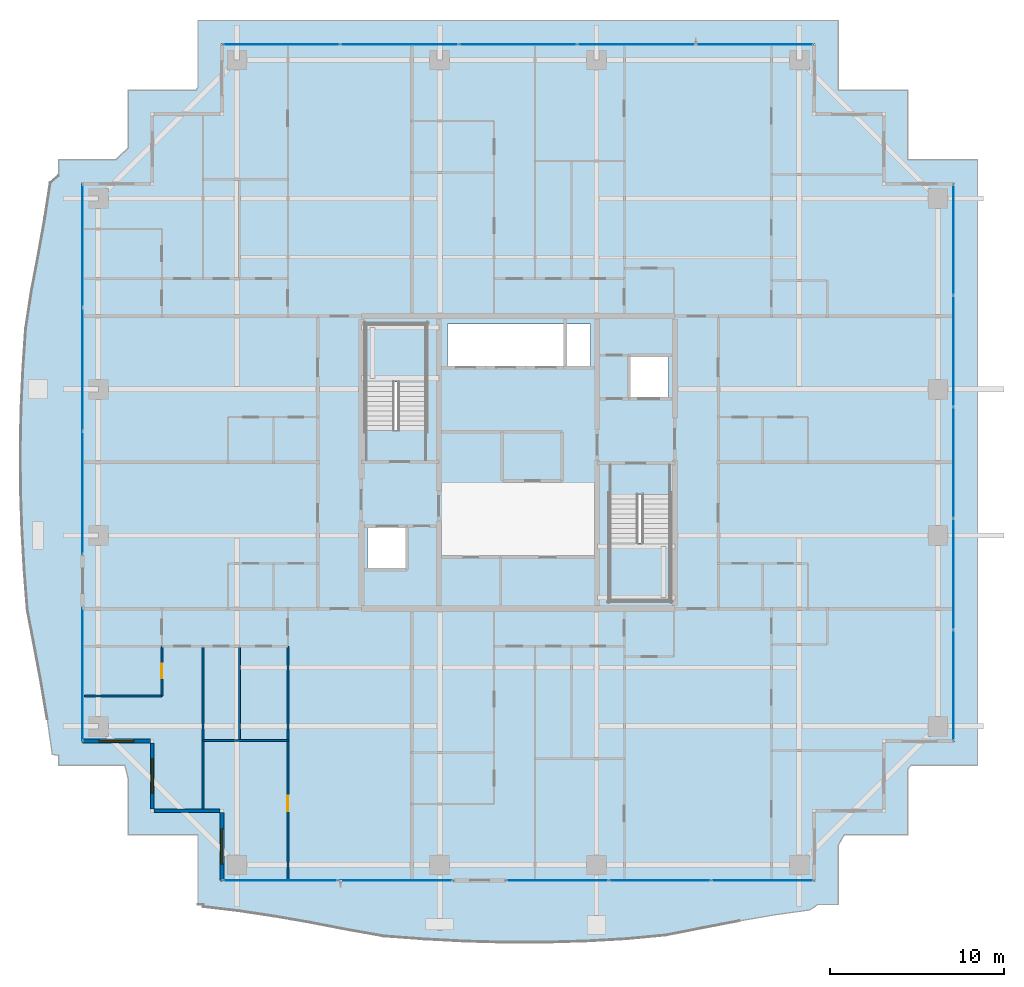
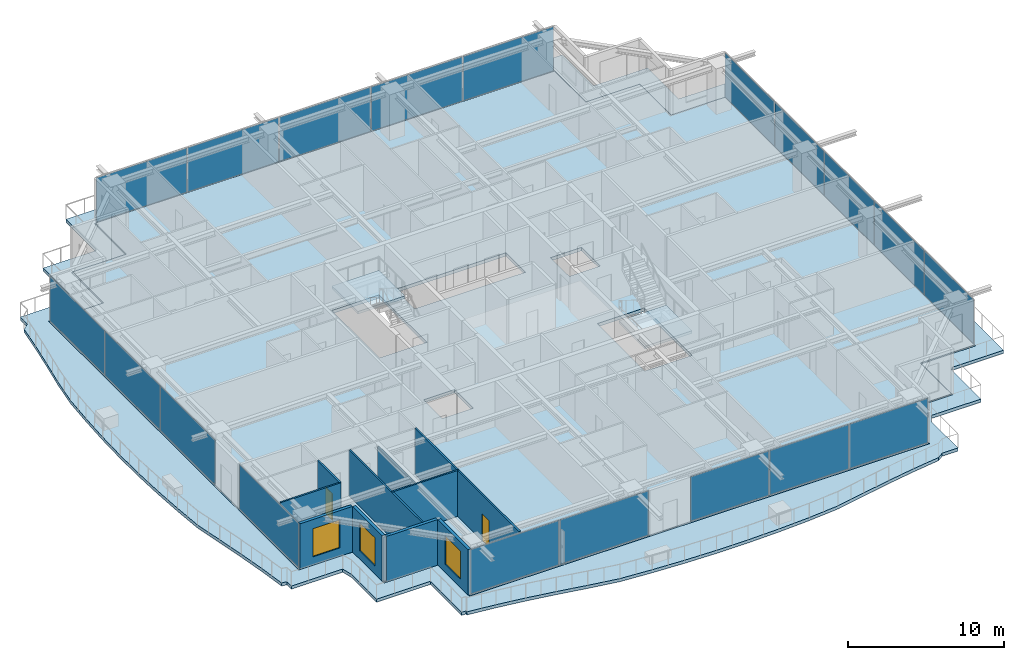
# One storey, part 23 of 38: 19 plates, 11 walls, 4 slabs, 3 windows, 2 doors, 5 openings, 8 elements without a shape of their own.
"""IFC4 building model written with IfcOpenShell, lengths in metres."""

import ifcopenshell
import ifcopenshell.guid

model = None  # the IFC model being written
_history = None  # IfcOwnerHistory: only IFC2X3 demands one
_inside = {}  # id of a spatial element -> (the spatial element, [elements in it])
_under = {}  # id of a project, library or spatial element -> (it, [spatial elements below it])
_declared = {}  # id of a project -> (the project, [libraries it declares])
_typed = {}  # id of a type object -> (the type object, [elements of that type])
_made_of = {}  # id of a material, layer set ... -> (it, [elements and type objects made of it])


def new_model(schema):
    """Start an empty IFC model of exactly this schema.

    Asked for "IFC4X3", IfcOpenShell would pick the latest addendum, in which some entities
    have other attributes; the version numbers below select the first issue.
    IFC2X3 requires an IfcOwnerHistory on every rooted entity: one is made here for all.
    """
    global model, _history
    if schema == "IFC4X3":
        model = ifcopenshell.file(schema_version=(4, 3, 0, 0))
    else:
        model = ifcopenshell.file(schema=schema)
    _inside.clear()
    _under.clear()
    _declared.clear()
    _typed.clear()
    _made_of.clear()
    _history = None
    if model.schema == "IFC2X3":
        org = make("IfcOrganization", Name="unknown")
        user = make(
            "IfcPersonAndOrganization",
            ThePerson=make("IfcPerson", FamilyName="unknown"),
            TheOrganization=org,
        )
        app = make(
            "IfcApplication",
            ApplicationDeveloper=org,
            Version="unknown",
            ApplicationFullName="unknown",
            ApplicationIdentifier="unknown",
        )
        _history = make(
            "IfcOwnerHistory",
            OwningUser=user,
            OwningApplication=app,
            ChangeAction="ADDED",
            CreationDate=0,
        )
    return model


def make(cls, **values):
    """One entity of the class cls with the attributes given. An attribute that is None is left unset."""
    return model.create_entity(
        cls, **{name: value for name, value in values.items() if value is not None}
    )


def rooted(cls, **values):
    """An entity with a GlobalId (a new one), such as an element, a storey or a relation."""
    return make(cls, GlobalId=ifcopenshell.guid.new(), OwnerHistory=_history, **values)


def si_unit(unit_type, name, prefix=None):
    """IfcSIUnit, for example si_unit("LENGTHUNIT", "METRE", prefix="MILLI")."""
    return make("IfcSIUnit", UnitType=unit_type, Prefix=prefix, Name=name)


def assignment(units):
    """IfcUnitAssignment: the units of a project."""
    return None if units is None else make("IfcUnitAssignment", Units=units)


def point(xyz):
    """IfcCartesianPoint."""
    return None if xyz is None else make("IfcCartesianPoint", Coordinates=xyz)


def direction(xyz):
    """IfcDirection."""
    return None if xyz is None else make("IfcDirection", DirectionRatios=xyz)


def frame(location, z_axis=None, x_axis=None):
    """IfcAxis2Placement3D, a coordinate frame: its origin and axes. An axis left out is left unset."""
    return make(
        "IfcAxis2Placement3D",
        Location=point(location),
        Axis=direction(z_axis),
        RefDirection=direction(x_axis),
    )


def frame_2d(location, x_axis=None):
    """IfcAxis2Placement2D, a coordinate frame in the plane: its origin and x axis."""
    return make(
        "IfcAxis2Placement2D", Location=point(location), RefDirection=direction(x_axis)
    )


def origin():
    """The frame at (0, 0, 0) with its axes left unset."""
    return frame((0.0, 0.0, 0.0))


def origin_2d():
    """The frame at (0, 0) in the plane with its x axis left unset."""
    return frame_2d((0.0, 0.0))


def place(relative_to, where):
    """IfcLocalPlacement: puts the frame where relative to a parent placement (None: the world)."""
    return make(
        "IfcLocalPlacement", PlacementRelTo=relative_to, RelativePlacement=where
    )


def context(
    kind, dimensions, precision=None, world=None, true_north=None, identifier=None
):
    """IfcGeometricRepresentationContext, for example the 3D "Model" context."""
    return make(
        "IfcGeometricRepresentationContext",
        ContextIdentifier=identifier,
        ContextType=kind,
        CoordinateSpaceDimension=dimensions,
        Precision=precision,
        WorldCoordinateSystem=world,
        TrueNorth=true_north,
    )


def subcontext(parent, identifier, kind, view, scale=None):
    """IfcGeometricRepresentationSubContext, for example "Body" below "Model"."""
    return make(
        "IfcGeometricRepresentationSubContext",
        ContextIdentifier=identifier,
        ContextType=kind,
        ParentContext=parent,
        TargetScale=scale,
        TargetView=view,
    )


def project(units=None, contexts=None):
    """IfcProject with its units and contexts."""
    return rooted(
        "IfcProject",
        Name="project",
        RepresentationContexts=contexts,
        UnitsInContext=assignment(units),
    )


def spatial(cls, under=None, at=None, **own):
    """A site, building, storey or space (cls), placed at a placement, below another one or the project."""
    s = rooted(cls, ObjectPlacement=at, **own)
    if under is not None:
        _under.setdefault(under.id(), (under, []))[1].append(s)
    return s


def polyline(points):
    """IfcPolyline through the points."""
    return make("IfcPolyline", Points=[point(p) for p in points])


def profile(cls, at=None, kind="AREA", **sizes):
    """A parametric profile (cls). Its sizes go by their IFC names, for example OverallWidth=200.0."""
    return make(cls, ProfileType=kind, Position=at, **sizes)


def rectangle(**sizes):
    """IfcRectangleProfileDef."""
    return profile("IfcRectangleProfileDef", **sizes)


def outline(outer, holes=None, kind="AREA"):
    """IfcArbitraryClosedProfileDef: a profile drawn as a closed curve; with holes, ...WithVoids."""
    if holes is None:
        return make("IfcArbitraryClosedProfileDef", ProfileType=kind, OuterCurve=outer)
    return make(
        "IfcArbitraryProfileDefWithVoids",
        ProfileType=kind,
        OuterCurve=outer,
        InnerCurves=holes,
    )


def extrude(swept, where, along, depth):
    """IfcExtrudedAreaSolid: the profile swept, set in the frame where, extruded along a direction by depth."""
    return make(
        "IfcExtrudedAreaSolid",
        SweptArea=swept,
        Position=where,
        ExtrudedDirection=direction(along),
        Depth=depth,
    )


def shape(context_of_items, identifier, shape_type, items):
    """IfcShapeRepresentation: the items that make up one representation, for example the "Body"."""
    return make(
        "IfcShapeRepresentation",
        ContextOfItems=context_of_items,
        RepresentationIdentifier=identifier,
        RepresentationType=shape_type,
        Items=items,
    )


def source(mapping_origin, context_of_items, identifier, shape_type, items):
    """IfcRepresentationMap: a shape defined once, which mapped items show again and again."""
    return make(
        "IfcRepresentationMap",
        MappingOrigin=mapping_origin,
        MappedRepresentation=shape(context_of_items, identifier, shape_type, items),
    )


def transform(
    local_origin,
    x_axis=None,
    y_axis=None,
    z_axis=None,
    scale=None,
    scale2=None,
    scale3=None,
    uniform=True,
):
    """IfcCartesianTransformationOperator3D, or its non-uniform kind. x_axis, y_axis, z_axis: its Axis1, 2, 3."""
    if uniform:
        return make(
            "IfcCartesianTransformationOperator3D",
            Axis1=direction(x_axis),
            Axis2=direction(y_axis),
            LocalOrigin=point(local_origin),
            Scale=scale,
            Axis3=direction(z_axis),
        )
    return make(
        "IfcCartesianTransformationOperator3DnonUniform",
        Axis1=direction(x_axis),
        Axis2=direction(y_axis),
        LocalOrigin=point(local_origin),
        Scale=scale,
        Axis3=direction(z_axis),
        Scale2=scale2,
        Scale3=scale3,
    )


def mapped(mapping_source, mapping_target):
    """IfcMappedItem: shows the shape of a source again, moved by a transform."""
    return make(
        "IfcMappedItem", MappingSource=mapping_source, MappingTarget=mapping_target
    )


def material(Name=None, Category=None):
    """IfcMaterial."""
    return make("IfcMaterial", Name=Name, Category=Category)


def layer(
    of_material, thickness, ventilated=None, Name=None, Category=None, Priority=None
):
    """IfcMaterialLayer: one layer of a wall or slab, of a material (None: an air gap)."""
    return make(
        "IfcMaterialLayer",
        Material=of_material,
        LayerThickness=thickness,
        IsVentilated=ventilated,
        Name=Name,
        Category=Category,
        Priority=Priority,
    )


def layer_set(layers, Name=None):
    """IfcMaterialLayerSet."""
    return make("IfcMaterialLayerSet", MaterialLayers=layers, LayerSetName=Name)


def made_of(thing, what):
    """Note that an element or type object is made of a material, layer set ...; save() writes the relation."""
    if what is not None:
        _made_of.setdefault(what.id(), (what, []))[1].append(thing)
    return thing


def type_object(cls, material=None, **own):
    """A type object (cls), such as IfcWallType, which elements share."""
    return made_of(rooted(cls, **own), material)


def element(
    cls,
    number,
    at=None,
    inside=None,
    cuts=None,
    type_object=None,
    material=None,
    context=None,
    identifier="Body",
    shape_type=None,
    held_by="IfcProductDefinitionShape",
    body=None,
    shapes=None,
    **own,
):
    """One element of the class cls, such as IfcWall. Its Tag is "e" and its number.

    at: its placement. inside: the storey or other place that contains it. cuts: it is an
    opening in that element (IfcRelVoidsElement). A single representation is given by context,
    identifier, shape_type and body (its items); several are given by shapes. held_by: the class
    of the entity that holds the representations. save() writes the other relations.
    """
    e = rooted(cls, Tag="e%d" % number, ObjectPlacement=at, **own)
    if body is not None:
        shapes = [shape(context, identifier, shape_type, body)]
    if shapes is not None:
        e.Representation = make(held_by, Representations=shapes)
    if inside is not None:
        _inside.setdefault(inside.id(), (inside, []))[1].append(e)
    if cuts is not None:
        rooted(
            "IfcRelVoidsElement", RelatingBuildingElement=cuts, RelatedOpeningElement=e
        )
    if type_object is not None:
        _typed.setdefault(type_object.id(), (type_object, []))[1].append(e)
    return made_of(e, material)


def fill(opening, filler):
    """IfcRelFillsElement: the door or window that sits in an opening."""
    return rooted(
        "IfcRelFillsElement",
        RelatingOpeningElement=opening,
        RelatedBuildingElement=filler,
    )


def aggregate(whole, parts):
    """IfcRelAggregates: a whole, such as a stair, and the parts it consists of."""
    return rooted("IfcRelAggregates", RelatingObject=whole, RelatedObjects=parts)


def save(model, path):
    """Write the relations noted so far, then the file.

    IfcRelAggregates (storeys below a building ...), IfcRelContainedInSpatialStructure (elements
    in a storey), IfcRelDefinesByType, IfcRelAssociatesMaterial and IfcRelDeclares: one each for
    every whole, place, type object, material and project.
    """
    for whole, parts in _under.values():
        aggregate(whole, parts)
    for where, things in _inside.values():
        rooted(
            "IfcRelContainedInSpatialStructure",
            RelatedElements=things,
            RelatingStructure=where,
        )
    for kind, things in _typed.values():
        rooted("IfcRelDefinesByType", RelatedObjects=things, RelatingType=kind)
    for what, things in _made_of.values():
        rooted("IfcRelAssociatesMaterial", RelatedObjects=things, RelatingMaterial=what)
    for by, libraries in _declared.values():
        rooted("IfcRelDeclares", RelatingContext=by, RelatedDefinitions=libraries)
    model.write(path)


model = new_model("IFC4")

# Units and contexts
model_context = context("Model", 3, precision=1e-05, world=origin(), true_north=direction((0.0, 1.0)))
body_context = subcontext(model_context, "Body", "Model", "MODEL_VIEW")
ifc_project = project(units=[si_unit("LENGTHUNIT", "METRE"), si_unit("AREAUNIT", "SQUARE_METRE"), si_unit("VOLUMEUNIT", "CUBIC_METRE"), si_unit("PLANEANGLEUNIT", "RADIAN"), si_unit("MASSUNIT", "GRAM", prefix="KILO")], contexts=[model_context])

# Site, building, storey
site_placement = place(None, origin())
site = spatial("IfcSite", under=ifc_project, at=site_placement, CompositionType="ELEMENT")
building_placement = place(site_placement, origin())
building = spatial("IfcBuilding", under=site, at=building_placement, Name="Serunith Strait Residences", CompositionType="ELEMENT")
storey_placement = place(building_placement, frame((0.0, 0.0, 241.25)))
storey = spatial("IfcBuildingStorey", under=building, at=storey_placement, Name="L60", CompositionType="ELEMENT", Elevation=241.25)

# Slab
ifc_material_1 = material(Name="Concrete C50/60", Category="concrete")
ifc_layer_1 = layer(ifc_material_1, 0.239990234375, Name="Concrete C50/60")
ifc_layer_set_1 = layer_set([ifc_layer_1], Name="Concrete C50/60")
slab_type_1 = type_object("IfcSlabType", Name="SLB-BALC-240", PredefinedType="FLOOR", material=ifc_layer_set_1)
slab_1_placement = place(storey_placement, frame((0.0, 0.0, -0.2900390625)))
element("IfcSlab", 1, at=slab_1_placement, inside=storey, type_object=slab_type_1, Name="L60 Planted Vertical-Forest Balcony Slab", PredefinedType="FLOOR", context=body_context, shape_type="SweptSolid", body=[
    extrude(outline(polyline([(14.02001953125, -0.179931640625), (14.02001953125, 3.820068359375), (10.02001953125, 3.820068359375), (10.02001953125, 7.029052734375), (9.826904296875, 7.820068359375), (6.02001953125, 7.820068359375), (6.02001953125, 8.381591796875), (5.658935546875, 8.4423828125), (5.37109375, 10.46923828125), (5.02783203125, 12.517578125), (4.639404296875, 14.604736328125), (4.230712890625, 16.749267578125), (4.0537109375, 19.010986328125), (3.922607421875, 21.30810546875), (3.8447265625, 23.62939453125), (3.828125, 25.9619140625), (3.87451171875, 28.290283203125), (3.979736328125, 30.599853515625), (4.133544921875, 32.879150390625), (4.468017578125, 35.0693359375), (4.869384765625, 37.17578125), (5.23388671875, 39.23583984375), (5.54541015625, 41.26806640625), (6.02001953125, 41.6669921875), (6.02001953125, 42.580078125), (9.2998046875, 42.580078125), (10.02001953125, 43.24951171875), (10.02001953125, 46.580078125), (13.9189453125, 46.580078125), (14.02001953125, 46.734619140625), (14.02001953125, 50.580078125), (50.780029296875, 50.580078125), (50.780029296875, 46.580078125), (54.780029296875, 46.580078125), (54.780029296875, 42.580078125), (58.780029296875, 42.580078125), (58.780029296875, 7.820068359375), (54.97509765625, 7.820068359375), (54.780029296875, 7.597900390625), (54.780029296875, 3.820068359375), (51.11279296875, 3.820068359375), (50.780029296875, 3.215087890625), (50.780029296875, -0.179931640625), (49.601318359375, -0.179931640625), (49.16650390625, -0.484619140625), (47.144287109375, -0.771484375), (45.102294921875, -1.11865234375), (43.021728515625, -1.5166015625), (40.881103515625, -1.939208984375), (38.620849609375, -2.15283203125), (36.312255859375, -2.28125), (33.978515625, -2.35009765625), (31.634765625, -2.352294921875), (29.298095703125, -2.2880859375), (26.984130859375, -2.164794921875), (24.704345703125, -1.99462890625), (22.53125, -1.61328125), (20.43408203125, -1.20751953125), (18.38134765625, -0.847412109375), (16.35302734375, -0.54638671875), (14.333984375, -0.304931640625), (14.3349609375, -0.179931640625), (14.02001953125, -0.179931640625)]), holes=[polyline([(49.455078125, 1.14501953125), (49.455078125, 5.14501953125), (53.455078125, 5.14501953125), (53.455078125, 9.14501953125), (57.455078125, 9.14501953125), (57.455078125, 41.2548828125), (53.455078125, 41.2548828125), (53.455078125, 45.2548828125), (49.455078125, 45.2548828125), (49.455078125, 49.2548828125), (15.344970703125, 49.2548828125), (15.344970703125, 45.2548828125), (11.344970703125, 45.2548828125), (11.344970703125, 41.2548828125), (7.344970703125, 41.2548828125), (7.344970703125, 9.14501953125), (11.344970703125, 9.14501953125), (11.344970703125, 5.14501953125), (15.344970703125, 5.14501953125), (15.344970703125, 1.14501953125), (49.455078125, 1.14501953125)])]), origin(), (0.0, 0.0, 1.0), 0.239990234375),
])

# Stair, slab
stair_type_1 = type_object("IfcStairType", Name="STR-CORE-1", PredefinedType="HALF_TURN_STAIR", material=ifc_material_1)
stair_1_placement = place(storey_placement, origin())
stair_1 = element("IfcStair", 2, at=stair_1_placement, inside=storey, type_object=stair_type_1, Name="L60 Protected Escape Stair ST-1", PredefinedType="HALF_TURN_STAIR")
ifc_layer_2 = layer(ifc_material_1, 0.199951171875, Name="Concrete C50/60")
ifc_layer_set_2 = layer_set([ifc_layer_2], Name="Concrete C50/60")
slab_type_2 = type_object("IfcSlabType", Name="SLB-LAND-200", PredefinedType="LANDING", material=ifc_layer_set_2)
slab_2_placement = place(storey_placement, frame((0.0, 0.0, 1.72509765625)))
slab_2 = element("IfcSlab", 3, at=slab_2_placement, type_object=slab_type_2, Name="ST-1 landing 1", PredefinedType="LANDING", context=body_context, shape_type="SweptSolid", body=[
    extrude(outline(polyline([(27.14990234375, 29.830078125), (27.14990234375, 33.14990234375), (23.64990234375, 33.14990234375), (23.64990234375, 29.830078125), (27.14990234375, 29.830078125)])), origin(), (0.0, 0.0, 1.0), 0.199951171875),
])
aggregate(stair_1, [slab_2])

stair_type_2 = type_object("IfcStairType", Name="STR-CORE-2", PredefinedType="HALF_TURN_STAIR", material=ifc_material_1)
stair_2_placement = place(storey_placement, origin())
stair_2 = element("IfcStair", 4, at=stair_2_placement, inside=storey, type_object=stair_type_2, Name="L60 Protected Escape Stair ST-2", PredefinedType="HALF_TURN_STAIR")
slab_3_placement = place(storey_placement, frame((0.0, 0.0, 1.72509765625)))
slab_3 = element("IfcSlab", 5, at=slab_3_placement, type_object=slab_type_2, Name="ST-2 landing 1", PredefinedType="LANDING", context=body_context, shape_type="SweptSolid", body=[
    extrude(outline(polyline([(37.64990234375, 20.570068359375), (37.64990234375, 17.25), (41.14990234375, 17.25), (41.14990234375, 20.570068359375), (37.64990234375, 20.570068359375)])), origin(), (0.0, 0.0, 1.0), 0.199951171875),
])
aggregate(stair_2, [slab_3])

# Slab
ifc_material_2 = material(Name="Concrete C60/75", Category="concrete")
ifc_layer_3 = layer(ifc_material_2, 0.260009765625, Name="Concrete C60/75")
ifc_layer_set_3 = layer_set([ifc_layer_3], Name="Concrete C60/75")
slab_type_3 = type_object("IfcSlabType", Name="SLB-TWR-275-Z3", PredefinedType="FLOOR", material=ifc_layer_set_3)
slab_4_placement = place(storey_placement, frame((0.0, 0.0, -0.260009765625)))
element("IfcSlab", 6, at=slab_4_placement, inside=storey, type_object=slab_type_3, Name="L60 Structural Floor Plate", PredefinedType="FLOOR", context=body_context, shape_type="SweptSolid", body=[
    extrude(outline(polyline([(15.39990234375, 5.199951171875), (11.39990234375, 5.199951171875), (11.39990234375, 9.199951171875), (7.39990234375, 9.199951171875), (7.39990234375, 41.199951171875), (11.39990234375, 41.199951171875), (11.39990234375, 45.199951171875), (15.39990234375, 45.199951171875), (15.39990234375, 49.199951171875), (49.39990234375, 49.199951171875), (49.39990234375, 45.199951171875), (53.39990234375, 45.199951171875), (53.39990234375, 41.199951171875), (57.39990234375, 41.199951171875), (57.39990234375, 9.199951171875), (53.39990234375, 9.199951171875), (53.39990234375, 5.199951171875), (49.39990234375, 5.199951171875), (49.39990234375, 1.199951171875), (15.39990234375, 1.199951171875), (15.39990234375, 5.199951171875)]), holes=[polyline([(41.14990234375, 23.3701171875), (37.64990234375, 23.3701171875), (37.64990234375, 17.25), (41.14990234375, 17.25), (41.14990234375, 23.3701171875)]), polyline([(38.75, 31.25), (38.75, 28.85009765625), (41.050048828125, 28.85009765625), (41.050048828125, 31.25), (38.75, 31.25)]), polyline([(36.550048828125, 33.14990234375), (28.35009765625, 33.14990234375), (28.35009765625, 30.64990234375), (36.550048828125, 30.64990234375), (36.550048828125, 33.14990234375)]), polyline([(23.64990234375, 33.14990234375), (23.64990234375, 27.030029296875), (27.14990234375, 27.030029296875), (27.14990234375, 33.14990234375), (23.64990234375, 33.14990234375)]), polyline([(23.75, 21.550048828125), (23.75, 19.14990234375), (26.050048828125, 19.14990234375), (26.050048828125, 21.550048828125), (23.75, 21.550048828125)])]), origin(), (0.0, 0.0, 1.0), 0.260009765625),
])

# Curtain wall, plates
ifc_material_3 = material(Name="Pale-Champagne Anodised Aluminium", Category="aluminium")
ifc_layer_4 = layer(ifc_material_3, 0.199951171875, Name="Pale-Champagne Anodised Aluminium")
ifc_layer_set_4 = layer_set([ifc_layer_4], Name="Pale-Champagne Anodised Aluminium")
curtain_wall_type = type_object("IfcCurtainWallType", Name="CW-SYS4", PredefinedType="NOTDEFINED", material=ifc_layer_set_4)
curtain_wall_1_placement = place(storey_placement, origin())
curtain_wall_1 = element("IfcCurtainWall", 7, at=curtain_wall_1_placement, inside=storey, type_object=curtain_wall_type, Name="L60 E Unitised Fritted Curtain Wall", PredefinedType="NOTDEFINED")
ifc_material_4 = material(Name="Ceramic-Printed Solar-Control Glazing 28mm", Category="glass")
ifc_layer_5 = layer(ifc_material_4, 0.028076171875, Name="Ceramic-Printed Solar-Control Glazing 28mm")
ifc_layer_set_5 = layer_set([ifc_layer_5], Name="Ceramic-Printed Solar-Control Glazing 28mm")
plate_type = type_object("IfcPlateType", Name="CW-SYS4-PNL", PredefinedType="CURTAIN_PANEL", material=ifc_layer_set_5)
shared_shape_1 = source(origin(), body_context, "Body", "SweptSolid", [
    extrude(rectangle(XDim=6.302490234375, YDim=0.028076171875, at=origin_2d()), origin(), (0.0, 0.0, 1.0), 3.455078125),
])
plate_1_placement = place(storey_placement, frame((57.39990234375, 12.416259765625, 0.06005859375), z_axis=(0.0, 0.0, 1.0), x_axis=(0.0, 1.0, 0.0)))
plate_1 = element("IfcPlate", 8, at=plate_1_placement, type_object=plate_type, Name="CW-4 panel 1.1", PredefinedType="CURTAIN_PANEL", context=body_context, shape_type="MappedRepresentation", body=[
    mapped(shared_shape_1, transform((0.0, 0.0, 0.0), scale=1.0)),
])
plate_2_placement = place(storey_placement, frame((57.39990234375, 37.983642578125, 0.06005859375), z_axis=(0.0, 0.0, 1.0), x_axis=(0.0, 1.0, 0.0)))
plate_2 = element("IfcPlate", 9, at=plate_2_placement, type_object=plate_type, Name="CW-4 panel 5.1", PredefinedType="CURTAIN_PANEL", context=body_context, shape_type="MappedRepresentation", body=[
    mapped(shared_shape_1, transform((0.0, 0.0, 0.0), scale=1.0)),
])
shared_shape_2 = source(origin(), body_context, "Body", "SweptSolid", [
    extrude(rectangle(XDim=6.3349609375, YDim=0.028076171875, at=origin_2d()), origin(), (0.0, 0.0, 1.0), 3.455078125),
])
plate_3_placement = place(storey_placement, frame((57.39990234375, 18.800048828125, 0.06005859375), z_axis=(0.0, 0.0, 1.0), x_axis=(0.0, 1.0, 0.0)))
plate_3 = element("IfcPlate", 10, at=plate_3_placement, type_object=plate_type, Name="CW-4 panel 2.1", PredefinedType="CURTAIN_PANEL", context=body_context, shape_type="MappedRepresentation", body=[
    mapped(shared_shape_2, transform((0.0, 0.0, 0.0), scale=1.0)),
])
plate_4_placement = place(storey_placement, frame((57.39990234375, 25.199951171875, 0.06005859375), z_axis=(0.0, 0.0, 1.0), x_axis=(0.0, 1.0, 0.0)))
plate_4 = element("IfcPlate", 11, at=plate_4_placement, type_object=plate_type, Name="CW-4 panel 3.1", PredefinedType="CURTAIN_PANEL", context=body_context, shape_type="MappedRepresentation", body=[
    mapped(shared_shape_2, transform((0.0, 0.0, 0.0), scale=1.0)),
])
plate_5_placement = place(storey_placement, frame((57.39990234375, 31.60009765625, 0.06005859375), z_axis=(0.0, 0.0, 1.0), x_axis=(0.0, 1.0, 0.0)))
plate_5 = element("IfcPlate", 12, at=plate_5_placement, type_object=plate_type, Name="CW-4 panel 4.1", PredefinedType="CURTAIN_PANEL", context=body_context, shape_type="MappedRepresentation", body=[
    mapped(shared_shape_2, transform((0.0, 0.0, 0.0), scale=1.0)),
])
aggregate(curtain_wall_1, [plate_1, plate_3, plate_4, plate_5, plate_2])

curtain_wall_2_placement = place(storey_placement, origin())
curtain_wall_2 = element("IfcCurtainWall", 13, at=curtain_wall_2_placement, inside=storey, type_object=curtain_wall_type, Name="L60 N Unitised Fritted Curtain Wall", PredefinedType="NOTDEFINED")
shared_shape_3 = source(origin(), body_context, "Body", "SweptSolid", [
    extrude(rectangle(XDim=6.702392578125, YDim=0.028076171875, at=origin_2d()), origin(), (0.0, 0.0, 1.0), 3.455078125),
])
plate_6_placement = place(storey_placement, frame((45.983642578125, 49.199951171875, 0.06005859375), z_axis=(0.0, 0.0, 1.0), x_axis=(-1.0, 0.0, 0.0)))
plate_6 = element("IfcPlate", 14, at=plate_6_placement, type_object=plate_type, Name="CW-4 panel 1.1", PredefinedType="CURTAIN_PANEL", context=body_context, shape_type="MappedRepresentation", body=[
    mapped(shared_shape_3, transform((0.0, 0.0, 0.0), scale=1.0)),
])
plate_7_placement = place(storey_placement, frame((18.816162109375, 49.199951171875, 0.06005859375), z_axis=(0.0, 0.0, 1.0), x_axis=(-1.0, 0.0, 0.0)))
plate_7 = element("IfcPlate", 15, at=plate_7_placement, type_object=plate_type, Name="CW-4 panel 5.1", PredefinedType="CURTAIN_PANEL", context=body_context, shape_type="MappedRepresentation", body=[
    mapped(shared_shape_3, transform((0.0, 0.0, 0.0), scale=1.0)),
])
shared_shape_4 = source(origin(), body_context, "Body", "SweptSolid", [
    extrude(rectangle(XDim=6.735107421875, YDim=0.028076171875, at=origin_2d()), origin(), (0.0, 0.0, 1.0), 3.455078125),
])
plate_8_placement = place(storey_placement, frame((39.199951171875, 49.199951171875, 0.06005859375), z_axis=(0.0, 0.0, 1.0), x_axis=(-1.0, 0.0, 0.0)))
plate_8 = element("IfcPlate", 16, at=plate_8_placement, type_object=plate_type, Name="CW-4 panel 2.1", PredefinedType="CURTAIN_PANEL", context=body_context, shape_type="MappedRepresentation", body=[
    mapped(shared_shape_4, transform((0.0, 0.0, 0.0), scale=1.0)),
])
plate_9_placement = place(storey_placement, frame((32.39990234375, 49.199951171875, 0.06005859375), z_axis=(0.0, 0.0, 1.0), x_axis=(-1.0, 0.0, 0.0)))
plate_9 = element("IfcPlate", 17, at=plate_9_placement, type_object=plate_type, Name="CW-4 panel 3.1", PredefinedType="CURTAIN_PANEL", context=body_context, shape_type="MappedRepresentation", body=[
    mapped(shared_shape_4, transform((0.0, 0.0, 0.0), scale=1.0)),
])
plate_10_placement = place(storey_placement, frame((25.60009765625, 49.199951171875, 0.06005859375), z_axis=(0.0, 0.0, 1.0), x_axis=(-1.0, 0.0, 0.0)))
plate_10 = element("IfcPlate", 18, at=plate_10_placement, type_object=plate_type, Name="CW-4 panel 4.1", PredefinedType="CURTAIN_PANEL", context=body_context, shape_type="MappedRepresentation", body=[
    mapped(shared_shape_4, transform((0.0, 0.0, 0.0), scale=1.0)),
])
aggregate(curtain_wall_2, [plate_6, plate_8, plate_9, plate_10, plate_7])

curtain_wall_3_placement = place(storey_placement, origin())
curtain_wall_3 = element("IfcCurtainWall", 19, at=curtain_wall_3_placement, inside=storey, type_object=curtain_wall_type, Name="L60 S Unitised Fritted Curtain Wall", PredefinedType="NOTDEFINED")
shared_shape_5 = source(origin(), body_context, "Body", "SweptSolid", [
    extrude(rectangle(XDim=6.552490234375, YDim=0.028076171875, at=origin_2d()), origin(), (0.0, 0.0, 1.0), 3.455078125),
])
plate_11_placement = place(storey_placement, frame((18.7412109375, 1.199951171875, 0.06005859375), z_axis=(0.0, 0.0, 1.0), x_axis=(1.0, 0.0, 0.0)))
plate_11 = element("IfcPlate", 20, at=plate_11_placement, type_object=plate_type, Name="CW-4 panel 1.1", PredefinedType="CURTAIN_PANEL", context=body_context, shape_type="MappedRepresentation", body=[
    mapped(shared_shape_5, transform((0.0, 0.0, 0.0), scale=1.0)),
])
plate_12_placement = place(storey_placement, frame((25.358642578125, 1.199951171875, 0.06005859375), z_axis=(0.0, 0.0, 1.0), x_axis=(1.0, 0.0, 0.0)))
plate_12 = element("IfcPlate", 21, at=plate_12_placement, type_object=plate_type, Name="CW-4 panel 2.1", PredefinedType="CURTAIN_PANEL", context=body_context, shape_type="MappedRepresentation", body=[
    mapped(shared_shape_5, transform((0.0, 0.0, 0.0), scale=1.0)),
])
aggregate(curtain_wall_3, [plate_11, plate_12])

curtain_wall_4_placement = place(storey_placement, origin())
curtain_wall_4 = element("IfcCurtainWall", 22, at=curtain_wall_4_placement, inside=storey, type_object=curtain_wall_type, Name="L60 S Unitised Fritted Curtain Wall", PredefinedType="NOTDEFINED")
shared_shape_6 = source(origin(), body_context, "Body", "SweptSolid", [
    extrude(rectangle(XDim=5.802490234375, YDim=0.028076171875, at=origin_2d()), origin(), (0.0, 0.0, 1.0), 3.455078125),
])
plate_13_placement = place(storey_placement, frame((34.666259765625, 1.199951171875, 0.06005859375), z_axis=(0.0, 0.0, 1.0), x_axis=(1.0, 0.0, 0.0)))
plate_13 = element("IfcPlate", 23, at=plate_13_placement, type_object=plate_type, Name="CW-4 panel 1.1", PredefinedType="CURTAIN_PANEL", context=body_context, shape_type="MappedRepresentation", body=[
    mapped(shared_shape_6, transform((0.0, 0.0, 0.0), scale=1.0)),
])
plate_14_placement = place(storey_placement, frame((46.433837890625, 1.199951171875, 0.06005859375), z_axis=(0.0, 0.0, 1.0), x_axis=(1.0, 0.0, 0.0)))
plate_14 = element("IfcPlate", 24, at=plate_14_placement, type_object=plate_type, Name="CW-4 panel 3.1", PredefinedType="CURTAIN_PANEL", context=body_context, shape_type="MappedRepresentation", body=[
    mapped(shared_shape_6, transform((0.0, 0.0, 0.0), scale=1.0)),
])
shared_shape_7 = source(origin(), body_context, "Body", "SweptSolid", [
    extrude(rectangle(XDim=5.8349609375, YDim=0.028076171875, at=origin_2d()), origin(), (0.0, 0.0, 1.0), 3.455078125),
])
plate_15_placement = place(storey_placement, frame((40.550048828125, 1.199951171875, 0.06005859375), z_axis=(0.0, 0.0, 1.0), x_axis=(1.0, 0.0, 0.0)))
plate_15 = element("IfcPlate", 25, at=plate_15_placement, type_object=plate_type, Name="CW-4 panel 2.1", PredefinedType="CURTAIN_PANEL", context=body_context, shape_type="MappedRepresentation", body=[
    mapped(shared_shape_7, transform((0.0, 0.0, 0.0), scale=1.0)),
])
aggregate(curtain_wall_4, [plate_13, plate_15, plate_14])

curtain_wall_5_placement = place(storey_placement, origin())
curtain_wall_5 = element("IfcCurtainWall", 26, at=curtain_wall_5_placement, inside=storey, type_object=curtain_wall_type, Name="L60 W Unitised Fritted Curtain Wall", PredefinedType="NOTDEFINED")
shared_shape_8 = source(origin(), body_context, "Body", "SweptSolid", [
    extrude(rectangle(XDim=7.00244140625, YDim=0.028076171875, at=origin_2d()), origin(), (0.0, 0.0, 1.0), 3.455078125),
])
plate_16_placement = place(storey_placement, frame((7.39990234375, 37.6337890625, 0.06005859375), z_axis=(0.0, 0.0, 1.0), x_axis=(0.0, -1.0, 0.0)))
plate_16 = element("IfcPlate", 27, at=plate_16_placement, type_object=plate_type, Name="CW-4 panel 1.1", PredefinedType="CURTAIN_PANEL", context=body_context, shape_type="MappedRepresentation", body=[
    mapped(shared_shape_8, transform((0.0, 0.0, 0.0), scale=1.0)),
])
plate_17_placement = place(storey_placement, frame((7.39990234375, 23.46630859375, 0.06005859375), z_axis=(0.0, 0.0, 1.0), x_axis=(0.0, -1.0, 0.0)))
plate_17 = element("IfcPlate", 28, at=plate_17_placement, type_object=plate_type, Name="CW-4 panel 3.1", PredefinedType="CURTAIN_PANEL", context=body_context, shape_type="MappedRepresentation", body=[
    mapped(shared_shape_8, transform((0.0, 0.0, 0.0), scale=1.0)),
])
shared_shape_9 = source(origin(), body_context, "Body", "SweptSolid", [
    extrude(rectangle(XDim=7.034912109375, YDim=0.028076171875, at=origin_2d()), origin(), (0.0, 0.0, 1.0), 3.455078125),
])
plate_18_placement = place(storey_placement, frame((7.39990234375, 30.550048828125, 0.06005859375), z_axis=(0.0, 0.0, 1.0), x_axis=(0.0, -1.0, 0.0)))
plate_18 = element("IfcPlate", 29, at=plate_18_placement, type_object=plate_type, Name="CW-4 panel 2.1", PredefinedType="CURTAIN_PANEL", context=body_context, shape_type="MappedRepresentation", body=[
    mapped(shared_shape_9, transform((0.0, 0.0, 0.0), scale=1.0)),
])
aggregate(curtain_wall_5, [plate_16, plate_18, plate_17])

# Curtain wall, plate
curtain_wall_6_placement = place(storey_placement, origin())
curtain_wall_6 = element("IfcCurtainWall", 30, at=curtain_wall_6_placement, inside=storey, type_object=curtain_wall_type, Name="L60 W Unitised Fritted Curtain Wall", PredefinedType="NOTDEFINED")
shared_shape_10 = source(origin(), body_context, "Body", "SweptSolid", [
    extrude(rectangle(XDim=7.570068359375, YDim=0.028076171875, at=origin_2d()), origin(), (0.0, 0.0, 1.0), 3.455078125),
])
plate_19_placement = place(storey_placement, frame((7.39990234375, 13.050048828125, 0.06005859375), z_axis=(0.0, 0.0, 1.0), x_axis=(0.0, -1.0, 0.0)))
plate_19 = element("IfcPlate", 31, at=plate_19_placement, type_object=plate_type, Name="CW-4 panel 1.1", PredefinedType="CURTAIN_PANEL", context=body_context, shape_type="MappedRepresentation", body=[
    mapped(shared_shape_10, transform((0.0, 0.0, 0.0), scale=1.0)),
])
aggregate(curtain_wall_6, [plate_19])

# Wall, opening, window
ifc_material_5 = material(Name="Pale-Champagne Aluminium Insulated Panel", Category="aluminium")
ifc_layer_6 = layer(ifc_material_5, 0.219970703125, Name="Pale-Champagne Aluminium Insulated Panel")
ifc_layer_set_6 = layer_set([ifc_layer_6], Name="Pale-Champagne Aluminium Insulated Panel")
wall_type_1 = type_object("IfcWallType", Name="EW-ALUM-220", PredefinedType="ELEMENTEDWALL", material=ifc_layer_set_6)
wall_1_placement = place(storey_placement, frame((7.39990234375, 9.199951171875, 0.0), z_axis=(0.0, 0.0, 1.0), x_axis=(1.0, 0.0, 0.0)))
wall_1 = element("IfcWall", 32, at=wall_1_placement, inside=storey, type_object=wall_type_1, Name="L60 Girih Serrated Corner Wall 17", PredefinedType="ELEMENTEDWALL", context=body_context, shape_type="SweptSolid", body=[
    extrude(rectangle(XDim=3.89013671875, YDim=0.219970703125, at=frame_2d((1.945068359375, 0.0))), origin(), (0.0, 0.0, 1.0), 3.574951171875),
])
opening_1_placement = place(wall_1_placement, frame((0.945068359375, 0.0, 0.64990234375)))
opening_1 = element("IfcOpeningElement", 33, at=opening_1_placement, cuts=wall_1, Name="Opening W-04", PredefinedType="OPENING", context=body_context, shape_type="SweptSolid", body=[
    extrude(rectangle(XDim=2.0, YDim=2.199951171875, at=frame_2d((1.0, 1.10009765625))), frame((0.0, 0.1201171875, 0.0), z_axis=(0.0, -1.0, 0.0), x_axis=(1.0, 0.0, 0.0)), (0.0, 0.0, 1.0), 0.239990234375),
])
ifc_material_6 = material(Name="Ceramic-Fritted Operable Aluminium Window Glass", Category="aluminium")
window_type = type_object("IfcWindowType", Name="WIN-C4", PartitioningType="TRIPLE_PANEL_VERTICAL", PredefinedType="WINDOW", material=ifc_material_6)
shared_shape_11 = source(origin(), body_context, "Body", "SweptSolid", [
    extrude(rectangle(XDim=2.0, YDim=2.199951171875, at=frame_2d((1.0, 1.10009765625))), frame((0.0, 0.030029296875, 0.0), z_axis=(0.0, -1.0, 0.0), x_axis=(1.0, 0.0, 0.0)), (0.0, 0.0, 1.0), 0.06005859375),
])
window_1_placement = place(opening_1_placement, origin())
window_1 = element("IfcWindow", 34, at=window_1_placement, inside=storey, type_object=window_type, Name="L60 Corner Operable Fritted Window 17", OverallHeight=2.199951171875, OverallWidth=2.0, PartitioningType="SINGLE_PANEL", PredefinedType="WINDOW", context=body_context, shape_type="MappedRepresentation", body=[
    mapped(shared_shape_11, transform((0.0, 0.0, 0.0), scale=1.0)),
])
fill(opening_1, window_1)

wall_2_placement = place(storey_placement, frame((11.39990234375, 9.090087890625, 0.0), z_axis=(0.0, 0.0, 1.0), x_axis=(0.0, -1.0, 0.0)))
wall_2 = element("IfcWall", 35, at=wall_2_placement, inside=storey, type_object=wall_type_1, Name="L60 Girih Serrated Corner Wall 18", PredefinedType="ELEMENTEDWALL", context=body_context, shape_type="SweptSolid", body=[
    extrude(rectangle(XDim=3.780029296875, YDim=0.219970703125, at=frame_2d((1.89013671875, 0.0))), origin(), (0.0, 0.0, 1.0), 3.574951171875),
])
opening_2_placement = place(wall_2_placement, frame((0.889892578125, 0.0, 0.64990234375)))
opening_2 = element("IfcOpeningElement", 36, at=opening_2_placement, cuts=wall_2, Name="Opening W-04", PredefinedType="OPENING", context=body_context, shape_type="SweptSolid", body=[
    extrude(rectangle(XDim=2.0, YDim=2.199951171875, at=frame_2d((1.0, 1.10009765625))), frame((0.0, 0.1201171875, 0.0), z_axis=(0.0, -1.0, 0.0), x_axis=(1.0, 0.0, 0.0)), (0.0, 0.0, 1.0), 0.239990234375),
])
window_2_placement = place(opening_2_placement, origin())
window_2 = element("IfcWindow", 37, at=window_2_placement, inside=storey, type_object=window_type, Name="L60 Corner Operable Fritted Window 18", OverallHeight=2.199951171875, OverallWidth=2.0, PartitioningType="SINGLE_PANEL", PredefinedType="WINDOW", context=body_context, shape_type="MappedRepresentation", body=[
    mapped(shared_shape_11, transform((0.0, 0.0, 0.0), scale=1.0)),
])
fill(opening_2, window_2)

# Wall
wall_3_placement = place(storey_placement, frame((11.510009765625, 5.199951171875, 0.0), z_axis=(0.0, 0.0, 1.0), x_axis=(1.0, 0.0, 0.0)))
element("IfcWall", 38, at=wall_3_placement, inside=storey, type_object=wall_type_1, Name="L60 Girih Serrated Corner Wall 19", PredefinedType="ELEMENTEDWALL", context=body_context, shape_type="SweptSolid", body=[
    extrude(rectangle(XDim=3.780029296875, YDim=0.219970703125, at=frame_2d((1.89013671875, 0.0))), origin(), (0.0, 0.0, 1.0), 3.574951171875),
])

# Wall, opening, window
wall_4_placement = place(storey_placement, frame((15.39990234375, 5.090087890625, 0.0), z_axis=(0.0, 0.0, 1.0), x_axis=(0.0, -1.0, 0.0)))
wall_4 = element("IfcWall", 39, at=wall_4_placement, inside=storey, type_object=wall_type_1, Name="L60 Girih Serrated Corner Wall 20", PredefinedType="ELEMENTEDWALL", context=body_context, shape_type="SweptSolid", body=[
    extrude(rectangle(XDim=3.89013671875, YDim=0.219970703125, at=frame_2d((1.945068359375, 0.0))), origin(), (0.0, 0.0, 1.0), 3.574951171875),
])
opening_3_placement = place(wall_4_placement, frame((0.945068359375, 0.0, 0.64990234375)))
opening_3 = element("IfcOpeningElement", 40, at=opening_3_placement, cuts=wall_4, Name="Opening W-04", PredefinedType="OPENING", context=body_context, shape_type="SweptSolid", body=[
    extrude(rectangle(XDim=2.0, YDim=2.199951171875, at=frame_2d((1.0, 1.10009765625))), frame((0.0, 0.1201171875, 0.0), z_axis=(0.0, -1.0, 0.0), x_axis=(1.0, 0.0, 0.0)), (0.0, 0.0, 1.0), 0.239990234375),
])
window_3_placement = place(opening_3_placement, origin())
window_3 = element("IfcWindow", 41, at=window_3_placement, inside=storey, type_object=window_type, Name="L60 Corner Operable Fritted Window 20", OverallHeight=2.199951171875, OverallWidth=2.0, PartitioningType="SINGLE_PANEL", PredefinedType="WINDOW", context=body_context, shape_type="MappedRepresentation", body=[
    mapped(shared_shape_11, transform((0.0, 0.0, 0.0), scale=1.0)),
])
fill(opening_3, window_3)

# Wall, opening, door
ifc_material_7 = material(Name="Lightweight steel-stud gypsum partition", Category="steel")
ifc_layer_7 = layer(ifc_material_7, 0.1201171875, Name="Lightweight steel-stud gypsum partition")
ifc_layer_set_7 = layer_set([ifc_layer_7], Name="Lightweight steel-stud gypsum partition")
wall_type_2 = type_object("IfcWallType", Name="IW-PART-120", PredefinedType="PARTITIONING", material=ifc_layer_set_7)
wall_5_placement = place(storey_placement, frame((19.179931640625, 1.294921875, 0.0), z_axis=(0.0, 0.0, 1.0), x_axis=(0.0, 1.0, 0.0)))
wall_5 = element("IfcWall", 42, at=wall_5_placement, inside=storey, type_object=wall_type_2, Name="L60 Partition Wall 034", PredefinedType="PARTITIONING", context=body_context, shape_type="SweptSolid", body=[
    extrude(rectangle(XDim=7.947998046875, YDim=0.1201171875, at=frame_2d((3.97412109375, 0.0))), origin(), (0.0, 0.0, 1.0), 3.590087890625),
])
opening_4_placement = place(wall_5_placement, frame((3.8759765625, 0.0, 0.0)))
opening_4 = element("IfcOpeningElement", 43, at=opening_4_placement, cuts=wall_5, Name="Opening D-RM900", PredefinedType="OPENING", context=body_context, shape_type="SweptSolid", body=[
    extrude(rectangle(XDim=0.89990234375, YDim=2.10009765625, at=frame_2d((0.449951171875, 1.050048828125))), frame((0.0, 0.070068359375, 0.0), z_axis=(0.0, -1.0, 0.0), x_axis=(1.0, 0.0, 0.0)), (0.0, 0.0, 1.0), 0.14013671875),
])
ifc_material_8 = material(Name="Engineered timber flush bedroom door", Category="wood")
door_type_1 = type_object("IfcDoorType", Name="ID-ROOM-900", OperationType="NOTDEFINED", PredefinedType="DOOR", material=ifc_material_8)
shared_shape_12 = source(origin(), body_context, "Body", "SweptSolid", [
    extrude(rectangle(XDim=0.89990234375, YDim=2.10009765625, at=frame_2d((0.449951171875, 1.050048828125))), frame((0.0, 0.02490234375, 0.0), z_axis=(0.0, -1.0, 0.0), x_axis=(1.0, 0.0, 0.0)), (0.0, 0.0, 1.0), 0.050048828125),
])
door_1_placement = place(opening_4_placement, origin())
door_1 = element("IfcDoor", 44, at=door_1_placement, inside=storey, type_object=door_type_1, Name="L60 Formal Dining Room 1 6001 Door", OperationType="SINGLE_SWING_RIGHT", OverallHeight=2.10009765625, OverallWidth=0.89990234375, PredefinedType="DOOR", context=body_context, shape_type="MappedRepresentation", body=[
    mapped(shared_shape_12, transform((0.0, 0.0, 0.0), scale=1.0)),
])
fill(opening_4, door_1)

# Walls
wall_6_placement = place(storey_placement, frame((19.179931640625, 9.2451171875, 0.0), z_axis=(0.0, 0.0, 1.0), x_axis=(0.0, 1.0, 0.0)))
element("IfcWall", 45, at=wall_6_placement, inside=storey, type_object=wall_type_2, Name="L60 Partition Wall 035", PredefinedType="PARTITIONING", context=body_context, shape_type="SweptSolid", body=[
    extrude(rectangle(XDim=5.40283203125, YDim=0.1201171875, at=frame_2d((2.701416015625, 0.0))), origin(), (0.0, 0.0, 1.0), 3.590087890625),
])
wall_7_placement = place(storey_placement, frame((14.300048828125, 9.242919921875, 0.0), z_axis=(0.0, 0.0, 1.0), x_axis=(1.0, 0.0, 0.0)))
element("IfcWall", 46, at=wall_7_placement, inside=storey, type_object=wall_type_2, Name="L60 Partition Wall 036", PredefinedType="PARTITIONING", context=body_context, shape_type="SweptSolid", body=[
    extrude(rectangle(XDim=4.8798828125, YDim=0.1201171875, at=frame_2d((2.43994140625, 0.0))), origin(), (0.0, 0.0, 1.0), 3.590087890625),
])
wall_8_placement = place(storey_placement, frame((14.300048828125, 5.294921875, 0.0), z_axis=(0.0, 0.0, 1.0), x_axis=(0.0, 1.0, 0.0)))
element("IfcWall", 47, at=wall_8_placement, inside=storey, type_object=wall_type_2, Name="L60 Partition Wall 037", PredefinedType="PARTITIONING", context=body_context, shape_type="SweptSolid", body=[
    extrude(rectangle(XDim=9.35498046875, YDim=0.1201171875, at=frame_2d((4.677490234375, 0.0))), origin(), (0.0, 0.0, 1.0), 3.590087890625),
])
wall_9_placement = place(storey_placement, frame((16.39990234375, 9.242919921875, 0.0), z_axis=(0.0, 0.0, 1.0), x_axis=(0.0, 1.0, 0.0)))
element("IfcWall", 48, at=wall_9_placement, inside=storey, type_object=wall_type_2, Name="L60 Partition Wall 038", PredefinedType="PARTITIONING", context=body_context, shape_type="SweptSolid", body=[
    extrude(rectangle(XDim=5.406982421875, YDim=0.1201171875, at=frame_2d((2.70361328125, 0.0))), origin(), (0.0, 0.0, 1.0), 3.1220703125),
])
wall_10_placement = place(storey_placement, frame((7.4951171875, 11.79296875, 0.0), z_axis=(0.0, 0.0, 1.0), x_axis=(1.0, 0.0, 0.0)))
element("IfcWall", 49, at=wall_10_placement, inside=storey, type_object=wall_type_2, Name="L60 Partition Wall 042", PredefinedType="PARTITIONING", context=body_context, shape_type="SweptSolid", body=[
    extrude(rectangle(XDim=4.454833984375, YDim=0.1201171875, at=frame_2d((2.2275390625, 0.0))), origin(), (0.0, 0.0, 1.0), 3.590087890625),
])

# Wall, opening, door
wall_11_placement = place(storey_placement, frame((11.949951171875, 11.79296875, 0.0), z_axis=(0.0, 0.0, 1.0), x_axis=(0.0, 1.0, 0.0)))
wall_11 = element("IfcWall", 50, at=wall_11_placement, inside=storey, type_object=wall_type_2, Name="L60 Partition Wall 044", PredefinedType="PARTITIONING", context=body_context, shape_type="SweptSolid", body=[
    extrude(rectangle(XDim=2.85693359375, YDim=0.1201171875, at=frame_2d((1.428466796875, 0.0))), origin(), (0.0, 0.0, 1.0), 3.590087890625),
])
opening_5_placement = place(wall_11_placement, frame((1.00390625, 0.0, 0.0)))
opening_5 = element("IfcOpeningElement", 51, at=opening_5_placement, cuts=wall_11, Name="Opening D-BTH850", PredefinedType="OPENING", context=body_context, shape_type="SweptSolid", body=[
    extrude(rectangle(XDim=0.85009765625, YDim=2.10009765625, at=frame_2d((0.425048828125, 1.050048828125))), frame((0.0, 0.070068359375, 0.0), z_axis=(0.0, -1.0, 0.0), x_axis=(1.0, 0.0, 0.0)), (0.0, 0.0, 1.0), 0.14013671875),
])
ifc_material_9 = material(Name="Moisture-resistant timber bathroom door", Category="wood")
door_type_2 = type_object("IfcDoorType", Name="ID-BATH-850", OperationType="NOTDEFINED", PredefinedType="DOOR", material=ifc_material_9)
shared_shape_13 = source(origin(), body_context, "Body", "SweptSolid", [
    extrude(rectangle(XDim=0.85009765625, YDim=2.10009765625, at=frame_2d((0.425048828125, 1.050048828125))), frame((0.0, 0.02490234375, 0.0), z_axis=(0.0, -1.0, 0.0), x_axis=(1.0, 0.0, 0.0)), (0.0, 0.0, 1.0), 0.050048828125),
])
door_2_placement = place(opening_5_placement, origin())
door_2 = element("IfcDoor", 52, at=door_2_placement, inside=storey, type_object=door_type_2, Name="L60 En-suite Bathroom W 6001 Door", OperationType="SINGLE_SWING_RIGHT", OverallHeight=2.10009765625, OverallWidth=0.85009765625, PredefinedType="DOOR", context=body_context, shape_type="MappedRepresentation", body=[
    mapped(shared_shape_13, transform((0.0, 0.0, 0.0), scale=1.0)),
])
fill(opening_5, door_2)

save(model, "model.ifc")
